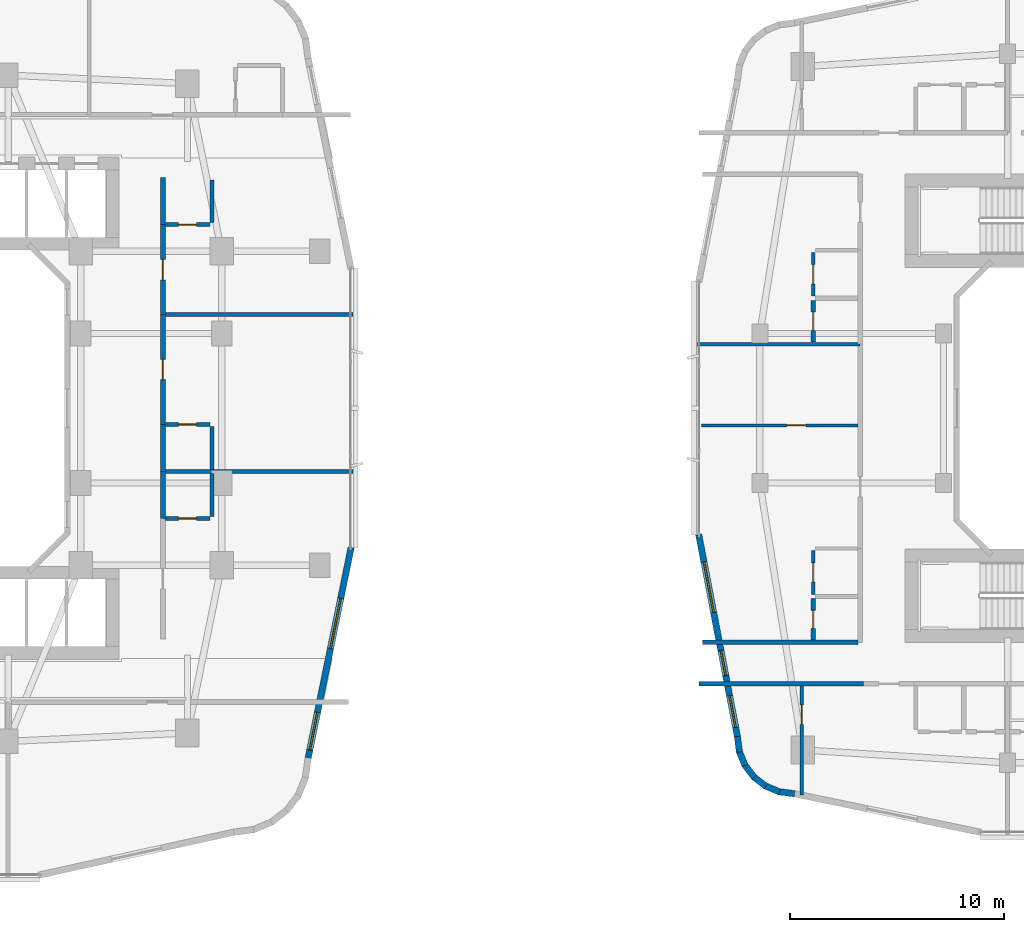
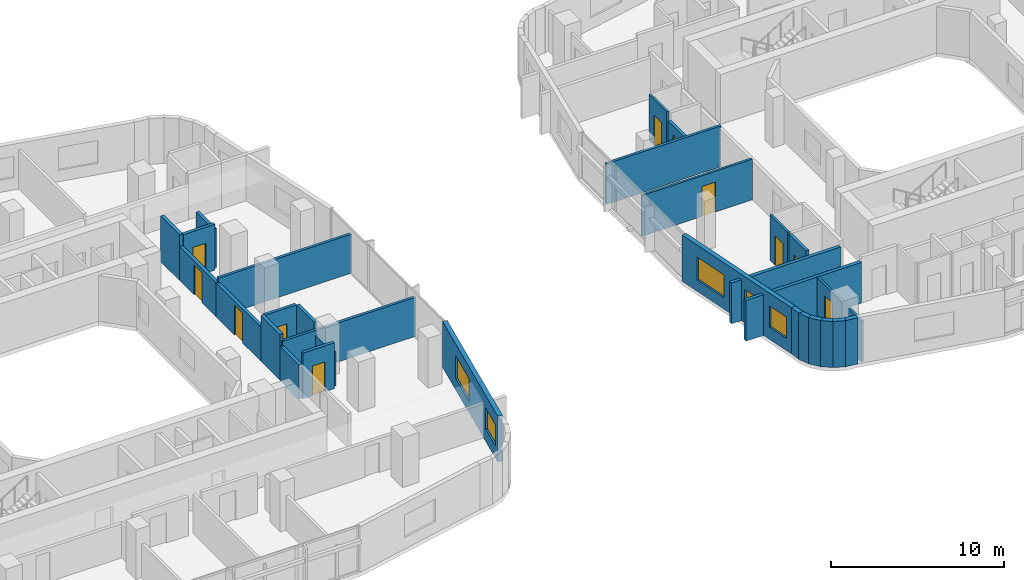
# One storey, part 15 of 26: 30 walls, 11 doors, 5 windows, 16 openings.
"""IFC4 building model written with IfcOpenShell, lengths in metres."""

from ifc_helpers import new_model, si_unit, derived_unit, direction, frame, frame_2d, origin, place, context, subcontext, project, spatial, rectangle, extrude, material, layer, layer_set, type_object, element, fill, save


model = new_model("IFC4")

# Units and contexts
model_context = context("Model", 3, precision=1e-05, world=origin(), true_north=direction((0.0, 1.0)))
body_context = subcontext(model_context, "Body", "Model", "MODEL_VIEW")
ifc_project = project(units=[si_unit("LENGTHUNIT", "METRE"), si_unit("AREAUNIT", "SQUARE_METRE"), si_unit("VOLUMEUNIT", "CUBIC_METRE"), si_unit("PLANEANGLEUNIT", "RADIAN"), si_unit("MASSUNIT", "GRAM", prefix="KILO"), derived_unit("THERMALTRANSMITTANCEUNIT", [(si_unit("POWERUNIT", "WATT"), 1), (si_unit("LENGTHUNIT", "METRE"), -2), (si_unit("THERMODYNAMICTEMPERATUREUNIT", "KELVIN"), -1)])], contexts=[model_context])

# Site, building, storey
site_placement = place(None, origin())
site = spatial("IfcSite", under=ifc_project, at=site_placement, CompositionType="ELEMENT")
building_placement = place(site_placement, origin())
building = spatial("IfcBuilding", under=site, at=building_placement, Name="Kivonza Crest Hotel", CompositionType="ELEMENT")
storey_placement = place(building_placement, frame((0.0, 0.0, 52.0)))
storey = spatial("IfcBuildingStorey", under=building, at=storey_placement, Name="L13", CompositionType="ELEMENT", Elevation=52.0)

# Walls
ifc_material_1 = material(Name="High-density acoustic masonry inter-tenancy wall", Category="masonry")
ifc_layer_1 = layer(ifc_material_1, 0.179931640625)
ifc_layer_set_1 = layer_set([ifc_layer_1], Name="High-density acoustic masonry inter-tenancy wall")
wall_type_1 = type_object("IfcWallType", Name="WL-ACOU-180", PredefinedType="SOLIDWALL", material=ifc_layer_set_1)
for number, where, z_axis, x_axis, name in (
    (1, (33.050048828125, 22.0390625, 0.0), (0.0, 0.0, 1.0), (1.0, 0.0, 0.0), "L13 interior partition WA-L13-T1E-DIV1"),
    (2, (33.050048828125, 29.383056640625, 0.0), (0.0, 0.0, 1.0), (1.0, 0.0, 0.0), "L13 interior partition WA-L13-T1E-DIV2"),
):
    element("IfcWall", number, at=place(storey_placement, frame(where, z_axis=z_axis, x_axis=x_axis)), inside=storey, type_object=wall_type_1, Name=name, PredefinedType="SOLIDWALL", context=body_context, shape_type="SweptSolid", body=[
        extrude(rectangle(XDim=8.889892578125, YDim=0.179931640625, at=frame_2d((4.44482421875, 0.0))), origin(), (0.0, 0.0, 1.0), 2.7451171875),
    ])
wall_1_placement = place(storey_placement, frame((58.06005859375, 28.0, 0.0), z_axis=(0.0, 0.0, 1.0), x_axis=(1.0, 0.0, 0.0)))
element("IfcWall", 3, at=wall_1_placement, inside=storey, type_object=wall_type_1, Name="L13 interior partition WA-L13-T2W-DIV1", PredefinedType="SOLIDWALL", context=body_context, shape_type="SweptSolid", body=[
    extrude(rectangle(XDim=7.639892578125, YDim=0.179931640625, at=frame_2d((3.81982421875, 0.0))), origin(), (0.0, 0.0, 1.0), 2.864990234375),
])
ifc_material_2 = material(Name="Autoclaved aerated concrete blockwork", Category="masonry")
ifc_layer_2 = layer(ifc_material_2, 0.219970703125)
ifc_layer_set_2 = layer_set([ifc_layer_2], Name="Autoclaved aerated concrete blockwork")
wall_type_2 = type_object("IfcWallType", Name="WL-ACOU-220", PredefinedType="SOLIDWALL", material=ifc_layer_set_2)
wall_2_placement = place(storey_placement, frame((33.050048828125, 19.839111328125, 0.0), z_axis=(0.0, 0.0, 1.0), x_axis=(0.0, 1.0, 0.0)))
element("IfcWall", 4, at=wall_2_placement, inside=storey, type_object=wall_type_2, Name="L13 interior partition WA-L13-E06-BCORR", PredefinedType="SOLIDWALL", context=body_context, shape_type="SweptSolid", body=[
    extrude(rectangle(XDim=2.199951171875, YDim=0.219970703125, at=frame_2d((1.10009765625, 0.0))), origin(), (0.0, 0.0, 1.0), 2.39501953125),
])
wall_3_placement = place(storey_placement, frame((33.050048828125, 22.0390625, 0.0), z_axis=(0.0, 0.0, 1.0), x_axis=(0.0, 1.0, 0.0)))
element("IfcWall", 5, at=wall_3_placement, inside=storey, type_object=wall_type_2, Name="L13 interior partition WA-L13-E07-BCORR", PredefinedType="SOLIDWALL", context=body_context, shape_type="SweptSolid", body=[
    extrude(rectangle(XDim=2.199951171875, YDim=0.219970703125, at=frame_2d((1.10009765625, 0.0))), origin(), (0.0, 0.0, 1.0), 3.219970703125),
])

# Wall, opening, door
wall_4_placement = place(storey_placement, frame((33.050048828125, 24.239013671875, 0.0), z_axis=(0.0, 0.0, 1.0), x_axis=(0.0, 1.0, 0.0)))
wall_4 = element("IfcWall", 6, at=wall_4_placement, inside=storey, type_object=wall_type_2, Name="L13 interior partition WA-L13-E07-MCORR", PredefinedType="SOLIDWALL", context=body_context, shape_type="SweptSolid", body=[
    extrude(rectangle(XDim=5.14404296875, YDim=0.219970703125, at=frame_2d((2.572021484375, 0.0))), origin(), (0.0, 0.0, 1.0), 2.39501953125),
])
opening_1_placement = place(wall_4_placement, frame((2.096923828125, 0.0, 0.0)))
opening_1 = element("IfcOpeningElement", 7, at=opening_1_placement, cuts=wall_4, Name="Opening DU-60", PredefinedType="OPENING", context=body_context, shape_type="SweptSolid", body=[
    extrude(rectangle(XDim=0.949951171875, YDim=2.10009765625, at=frame_2d((0.47509765625, 1.050048828125))), frame((0.0, 0.1201171875, 0.0), z_axis=(0.0, -1.0, 0.0), x_axis=(1.0, 0.0, 0.0)), (0.0, 0.0, 1.0), 0.239990234375),
])
ifc_material_3 = material(Name="Hardwood timber oak", Category="wood")
door_type_1 = type_object("IfcDoorType", Name="DR-UNIT-950", OperationType="NOTDEFINED", PredefinedType="DOOR", material=ifc_material_3)
door_1_placement = place(opening_1_placement, frame((0.949951171875, 0.0, 0.0), z_axis=(0.0, 0.0, 1.0), x_axis=(-1.0, 0.0, 0.0)))
door_1 = element("IfcDoor", 8, at=door_1_placement, inside=storey, type_object=door_type_1, Name="L13 E07 guest unit entrance fire door", OperationType="SINGLE_SWING_LEFT", OverallHeight=2.10009765625, OverallWidth=0.949951171875, PredefinedType="DOOR", context=body_context, shape_type="SweptSolid", body=[
    extrude(rectangle(XDim=0.949951171875, YDim=2.10009765625, at=frame_2d((0.47509765625, 1.050048828125))), frame((0.0, 0.02490234375, 0.0), z_axis=(0.0, -1.0, 0.0), x_axis=(1.0, 0.0, 0.0)), (0.0, 0.0, 1.0), 0.050048828125),
])
fill(opening_1, door_1)

# Wall
wall_5_placement = place(storey_placement, frame((33.050048828125, 33.60009765625, 0.0), z_axis=(0.0, 0.0, 1.0), x_axis=(0.0, 1.0, 0.0)))
element("IfcWall", 9, at=wall_5_placement, inside=storey, type_object=wall_type_2, Name="L13 interior partition WA-L13-E08-BCORR", PredefinedType="SOLIDWALL", context=body_context, shape_type="SweptSolid", body=[
    extrude(rectangle(XDim=2.199951171875, YDim=0.219970703125, at=frame_2d((1.10009765625, 0.0))), origin(), (0.0, 0.0, 1.0), 3.219970703125),
])

# Wall, opening, door
wall_6_placement = place(storey_placement, frame((33.050048828125, 29.383056640625, 0.0), z_axis=(0.0, 0.0, 1.0), x_axis=(0.0, 1.0, 0.0)))
wall_6 = element("IfcWall", 10, at=wall_6_placement, inside=storey, type_object=wall_type_2, Name="L13 interior partition WA-L13-E08-MCORR", PredefinedType="SOLIDWALL", context=body_context, shape_type="SweptSolid", body=[
    extrude(rectangle(XDim=4.217041015625, YDim=0.219970703125, at=frame_2d((2.1083984375, 0.0))), origin(), (0.0, 0.0, 1.0), 2.39501953125),
])
opening_2_placement = place(wall_6_placement, frame((1.634033203125, 0.0, 0.0)))
opening_2 = element("IfcOpeningElement", 11, at=opening_2_placement, cuts=wall_6, Name="Opening DU-60", PredefinedType="OPENING", context=body_context, shape_type="SweptSolid", body=[
    extrude(rectangle(XDim=0.949951171875, YDim=2.10009765625, at=frame_2d((0.47509765625, 1.050048828125))), frame((0.0, 0.1201171875, 0.0), z_axis=(0.0, -1.0, 0.0), x_axis=(1.0, 0.0, 0.0)), (0.0, 0.0, 1.0), 0.239990234375),
])
door_2_placement = place(opening_2_placement, frame((0.949951171875, 0.0, 0.0), z_axis=(0.0, 0.0, 1.0), x_axis=(-1.0, 0.0, 0.0)))
door_2 = element("IfcDoor", 12, at=door_2_placement, inside=storey, type_object=door_type_1, Name="L13 E08 guest unit entrance fire door", OperationType="SINGLE_SWING_RIGHT", OverallHeight=2.10009765625, OverallWidth=0.949951171875, PredefinedType="DOOR", context=body_context, shape_type="SweptSolid", body=[
    extrude(rectangle(XDim=0.949951171875, YDim=2.10009765625, at=frame_2d((0.47509765625, 1.050048828125))), frame((0.0, 0.02490234375, 0.0), z_axis=(0.0, -1.0, 0.0), x_axis=(1.0, 0.0, 0.0)), (0.0, 0.0, 1.0), 0.050048828125),
])
fill(opening_2, door_2)

# Walls
wall_7_placement = place(storey_placement, frame((58.159912109375, 12.10009765625, 0.0), z_axis=(0.0, 0.0, 1.0), x_axis=(1.0, 0.0, 0.0)))
element("IfcWall", 13, at=wall_7_placement, inside=storey, type_object=wall_type_2, Name="L13 interior partition WA-L13-A03-LCORR", PredefinedType="SOLIDWALL", context=body_context, shape_type="SweptSolid", body=[
    extrude(rectangle(XDim=7.690185546875, YDim=0.219970703125, at=frame_2d((3.84521484375, 0.0))), origin(), (0.0, 0.0, 1.0), 2.864990234375),
])
wall_8_placement = place(storey_placement, frame((58.320068359375, 14.0400390625, 0.0), z_axis=(0.0, 0.0, 1.0), x_axis=(1.0, 0.0, 0.0)))
element("IfcWall", 14, at=wall_8_placement, inside=storey, type_object=wall_type_2, Name="L13 interior partition WA-L13-T2W-ENDS", PredefinedType="SOLIDWALL", context=body_context, shape_type="SweptSolid", body=[
    extrude(rectangle(XDim=7.280029296875, YDim=0.219970703125, at=frame_2d((3.64013671875, 0.0))), origin(), (0.0, 0.0, 1.0), 2.864990234375),
])

# Wall, openings, windows
ifc_material_4 = material(Name="Precast concrete C40/50", Category="concrete")
ifc_layer_3 = layer(ifc_material_4, 0.300048828125)
ifc_layer_set_3 = layer_set([ifc_layer_3], Name="Precast concrete C40/50")
wall_type_3 = type_object("IfcWallType", Name="WL-EXT-300", PredefinedType="STANDARD", material=ifc_layer_set_3)
wall_9_placement = place(storey_placement, frame((39.85107421875, 8.6220703125, 0.0), z_axis=(0.0, 0.0, 1.0), x_axis=(0.199990901713, 0.979797754249, 0.0)))
wall_9 = element("IfcWall", 15, at=wall_9_placement, inside=storey, type_object=wall_type_3, Name="L13 T1 exterior insulated wall 16", PredefinedType="STANDARD", context=body_context, shape_type="SweptSolid", body=[
    extrude(rectangle(XDim=10.065185546875, YDim=0.300048828125, at=frame_2d((5.03271484375, 0.0))), origin(), (0.0, 0.0, 1.0), 3.219970703125),
])
opening_3_placement = place(wall_9_placement, frame((0.3779296875, 0.0, 0.85009765625)))
opening_3 = element("IfcOpeningElement", 16, at=opening_3_placement, cuts=wall_9, Name="Opening WN-03", PredefinedType="OPENING", context=body_context, shape_type="SweptSolid", body=[
    extrude(rectangle(XDim=1.800048828125, YDim=1.5, at=frame_2d((0.89990234375, 0.75))), frame((0.0, 0.16015625, 0.0), z_axis=(0.0, -1.0, 0.0), x_axis=(1.0, 0.0, 0.0)), (0.0, 0.0, 1.0), 0.320068359375),
])
opening_4_placement = place(wall_9_placement, frame((5.236083984375, 0.0, 0.800048828125)))
opening_4 = element("IfcOpeningElement", 17, at=opening_4_placement, cuts=wall_9, Name="Opening WN-05", PredefinedType="OPENING", context=body_context, shape_type="SweptSolid", body=[
    extrude(rectangle(XDim=2.39990234375, YDim=1.60009765625, at=frame_2d((1.199951171875, 0.800048828125))), frame((0.0, 0.16015625, 0.0), z_axis=(0.0, -1.0, 0.0), x_axis=(1.0, 0.0, 0.0)), (0.0, 0.0, 1.0), 0.320068359375),
])
ifc_material_5 = material(Name="Thermally broken bronze aluminium and low-E double glazing", Category="aluminium")
window_type_1 = type_object("IfcWindowType", Name="WN-180x150", PartitioningType="DOUBLE_PANEL_VERTICAL", PredefinedType="WINDOW", material=ifc_material_5)
window_1_placement = place(opening_3_placement, origin())
window_1 = element("IfcWindow", 18, at=window_1_placement, inside=storey, type_object=window_type_1, Name="L13 T1 facade window 16 bay 1", OverallHeight=1.5, OverallWidth=1.800048828125, PartitioningType="SINGLE_PANEL", PredefinedType="WINDOW", context=body_context, shape_type="SweptSolid", body=[
    extrude(rectangle(XDim=1.800048828125, YDim=1.5, at=frame_2d((0.89990234375, 0.75))), frame((0.0, 0.030029296875, 0.0), z_axis=(0.0, -1.0, 0.0), x_axis=(1.0, 0.0, 0.0)), (0.0, 0.0, 1.0), 0.06005859375),
])
fill(opening_3, window_1)
window_type_2 = type_object("IfcWindowType", Name="WN-240x160", PartitioningType="TRIPLE_PANEL_VERTICAL", PredefinedType="WINDOW", material=ifc_material_5)
window_2_placement = place(opening_4_placement, origin())
window_2 = element("IfcWindow", 19, at=window_2_placement, inside=storey, type_object=window_type_2, Name="L13 T1 facade window 16 bay 2", OverallHeight=1.60009765625, OverallWidth=2.39990234375, PartitioningType="SINGLE_PANEL", PredefinedType="WINDOW", context=body_context, shape_type="SweptSolid", body=[
    extrude(rectangle(XDim=2.39990234375, YDim=1.60009765625, at=frame_2d((1.199951171875, 0.800048828125))), frame((0.0, 0.030029296875, 0.0), z_axis=(0.0, -1.0, 0.0), x_axis=(1.0, 0.0, 0.0)), (0.0, 0.0, 1.0), 0.06005859375),
])
fill(opening_4, window_2)

# Walls
wall_10_placement = place(storey_placement, frame((59.947998046875, 9.626953125, 0.0), z_axis=(0.0, 0.0, 1.0), x_axis=(0.130255288807, -0.991480488834, 0.0)))
element("IfcWall", 20, at=wall_10_placement, inside=storey, type_object=wall_type_3, Name="L13 T2 exterior insulated wall 1", PredefinedType="STANDARD", context=body_context, shape_type="SweptSolid", body=[
    extrude(rectangle(XDim=0.72900390625, YDim=0.300048828125, at=frame_2d((0.364501953125, 0.0))), origin(), (0.0, 0.0, 1.0), 3.25),
])
for number, where, z_axis, x_axis, name in (
    (21, (60.02392578125, 8.955078125, 0.0), (0.0, 0.0, 1.0), (0.383546213491, -0.923521684703, 0.0), "L13 T2 exterior insulated wall 2"),
    (22, (60.279052734375, 8.31103515625, 0.0), (0.0, 0.0, 1.0), (0.608397189915, -0.79363269798, 0.0), "L13 T2 exterior insulated wall 3"),
    (23, (60.69091796875, 7.75390625, 0.0), (0.0, 0.0, 1.0), (0.79363269798, -0.608397189915, 0.0), "L13 T2 exterior insulated wall 4"),
    (24, (61.23388671875, 7.323974609375, 0.0), (0.0, 0.0, 1.0), (0.923685632463, -0.383151213466, 0.0), "L13 T2 exterior insulated wall 5"),
):
    element("IfcWall", number, at=place(storey_placement, frame(where, z_axis=z_axis, x_axis=x_axis)), inside=storey, type_object=wall_type_3, Name=name, PredefinedType="STANDARD", context=body_context, shape_type="SweptSolid", body=[
        extrude(rectangle(XDim=0.74609375, YDim=0.300048828125, at=frame_2d((0.373046875, 0.0))), origin(), (0.0, 0.0, 1.0), 3.25),
    ])
wall_11_placement = place(storey_placement, frame((61.868896484375, 7.047119140625, 0.0), z_axis=(0.0, 0.0, 1.0), x_axis=(0.991559404866, -0.129653178221, 0.0)))
element("IfcWall", 25, at=wall_11_placement, inside=storey, type_object=wall_type_3, Name="L13 T2 exterior insulated wall 6", PredefinedType="STANDARD", context=body_context, shape_type="SweptSolid", body=[
    extrude(rectangle(XDim=0.764404296875, YDim=0.300048828125, at=frame_2d((0.38232421875, 0.0))), origin(), (0.0, 0.0, 1.0), 3.25),
])

# Wall, openings, windows
wall_12_placement = place(storey_placement, frame((58.136962890625, 19.08203125, 0.0), z_axis=(0.0, 0.0, 1.0), x_axis=(0.188087874316, -0.982152203854, 0.0)))
wall_12 = element("IfcWall", 26, at=wall_12_placement, inside=storey, type_object=wall_type_3, Name="L13 T2 exterior insulated wall 36", PredefinedType="STANDARD", context=body_context, shape_type="SweptSolid", body=[
    extrude(rectangle(XDim=9.6337890625, YDim=0.300048828125, at=frame_2d((4.81689453125, 0.0))), origin(), (0.0, 0.0, 1.0), 3.25),
])
opening_5_placement = place(wall_12_placement, frame((1.305908203125, 0.0, 0.800048828125)))
opening_5 = element("IfcOpeningElement", 27, at=opening_5_placement, cuts=wall_12, Name="Opening WN-05", PredefinedType="OPENING", context=body_context, shape_type="SweptSolid", body=[
    extrude(rectangle(XDim=2.39990234375, YDim=1.60009765625, at=frame_2d((1.199951171875, 0.800048828125))), frame((0.0, 0.16015625, 0.0), z_axis=(0.0, -1.0, 0.0), x_axis=(1.0, 0.0, 0.0)), (0.0, 0.0, 1.0), 0.320068359375),
])
opening_6_placement = place(wall_12_placement, frame((5.52099609375, 0.0, 0.85009765625)))
opening_6 = element("IfcOpeningElement", 28, at=opening_6_placement, cuts=wall_12, Name="Opening WN-01", PredefinedType="OPENING", context=body_context, shape_type="SweptSolid", body=[
    extrude(rectangle(XDim=1.199951171875, YDim=1.5, at=frame_2d((0.60009765625, 0.75))), frame((0.0, 0.16015625, 0.0), z_axis=(0.0, -1.0, 0.0), x_axis=(1.0, 0.0, 0.0)), (0.0, 0.0, 1.0), 0.320068359375),
])
opening_7_placement = place(wall_12_placement, frame((7.681884765625, 0.0, 0.85009765625)))
opening_7 = element("IfcOpeningElement", 29, at=opening_7_placement, cuts=wall_12, Name="Opening WN-02", PredefinedType="OPENING", context=body_context, shape_type="SweptSolid", body=[
    extrude(rectangle(XDim=1.5, YDim=1.5, at=frame_2d((0.75, 0.75))), frame((0.0, 0.16015625, 0.0), z_axis=(0.0, -1.0, 0.0), x_axis=(1.0, 0.0, 0.0)), (0.0, 0.0, 1.0), 0.320068359375),
])
window_type_3 = type_object("IfcWindowType", Name="WN-120x150", PartitioningType="SINGLE_PANEL", PredefinedType="WINDOW", material=ifc_material_5)
window_3_placement = place(opening_6_placement, origin())
window_3 = element("IfcWindow", 30, at=window_3_placement, inside=storey, type_object=window_type_3, Name="L13 T2 facade window 36 bay 2", OverallHeight=1.5, OverallWidth=1.199951171875, PartitioningType="SINGLE_PANEL", PredefinedType="WINDOW", context=body_context, shape_type="SweptSolid", body=[
    extrude(rectangle(XDim=1.199951171875, YDim=1.5, at=frame_2d((0.60009765625, 0.75))), frame((0.0, 0.030029296875, 0.0), z_axis=(0.0, -1.0, 0.0), x_axis=(1.0, 0.0, 0.0)), (0.0, 0.0, 1.0), 0.06005859375),
])
fill(opening_6, window_3)
window_type_4 = type_object("IfcWindowType", Name="WN-150x150", PartitioningType="DOUBLE_PANEL_VERTICAL", PredefinedType="WINDOW", material=ifc_material_5)
window_4_placement = place(opening_7_placement, origin())
window_4 = element("IfcWindow", 31, at=window_4_placement, inside=storey, type_object=window_type_4, Name="L13 T2 facade window 36 bay 3", OverallHeight=1.5, OverallWidth=1.5, PartitioningType="SINGLE_PANEL", PredefinedType="WINDOW", context=body_context, shape_type="SweptSolid", body=[
    extrude(rectangle(XDim=1.5, YDim=1.5, at=frame_2d((0.75, 0.75))), frame((0.0, 0.030029296875, 0.0), z_axis=(0.0, -1.0, 0.0), x_axis=(1.0, 0.0, 0.0)), (0.0, 0.0, 1.0), 0.06005859375),
])
fill(opening_7, window_4)
window_5_placement = place(opening_5_placement, origin())
window_5 = element("IfcWindow", 32, at=window_5_placement, inside=storey, type_object=window_type_2, Name="L13 T2 facade window 36 bay 1", OverallHeight=1.60009765625, OverallWidth=2.39990234375, PartitioningType="SINGLE_PANEL", PredefinedType="WINDOW", context=body_context, shape_type="SweptSolid", body=[
    extrude(rectangle(XDim=2.39990234375, YDim=1.60009765625, at=frame_2d((1.199951171875, 0.800048828125))), frame((0.0, 0.030029296875, 0.0), z_axis=(0.0, -1.0, 0.0), x_axis=(1.0, 0.0, 0.0)), (0.0, 0.0, 1.0), 0.06005859375),
])
fill(opening_5, window_5)

# Wall, opening, door
ifc_material_6 = material(Name="Twin-stud acoustic gypsum board partition", Category="gypsum")
ifc_layer_4 = layer(ifc_material_6, 0.14990234375)
ifc_layer_set_4 = layer_set([ifc_layer_4], Name="Twin-stud acoustic gypsum board partition")
wall_type_4 = type_object("IfcWallType", Name="WL-PART-150", PredefinedType="PARTITIONING", material=ifc_layer_set_4)
wall_13_placement = place(storey_placement, frame((62.9599609375, 6.886962890625, 0.0), z_axis=(0.0, 0.0, 1.0), x_axis=(0.0, 1.0, 0.0)))
wall_13 = element("IfcWall", 33, at=wall_13_placement, inside=storey, type_object=wall_type_4, Name="L13 interior partition WP-L13-A03-BDW1", PredefinedType="PARTITIONING", context=body_context, shape_type="SweptSolid", body=[
    extrude(rectangle(XDim=5.113037109375, YDim=0.14990234375, at=frame_2d((2.556640625, 0.0))), origin(), (0.0, 0.0, 1.0), 2.864990234375),
])
opening_8_placement = place(wall_13_placement, frame((3.31005859375, 0.0, 0.0)))
opening_8 = element("IfcOpeningElement", 34, at=opening_8_placement, cuts=wall_13, Name="Opening DI-90", PredefinedType="OPENING", context=body_context, shape_type="SweptSolid", body=[
    extrude(rectangle(XDim=0.89990234375, YDim=2.10009765625, at=frame_2d((0.449951171875, 1.050048828125))), frame((0.0, 0.0849609375, 0.0), z_axis=(0.0, -1.0, 0.0), x_axis=(1.0, 0.0, 0.0)), (0.0, 0.0, 1.0), 0.169921875),
])
door_type_2 = type_object("IfcDoorType", Name="DR-INT-900", OperationType="NOTDEFINED", PredefinedType="DOOR", material=ifc_material_3)
door_3_placement = place(opening_8_placement, origin())
door_3 = element("IfcDoor", 35, at=door_3_placement, inside=storey, type_object=door_type_2, Name="L13 A03 bedroom 1 door", OperationType="SINGLE_SWING_RIGHT", OverallHeight=2.10009765625, OverallWidth=0.89990234375, PredefinedType="DOOR", context=body_context, shape_type="SweptSolid", body=[
    extrude(rectangle(XDim=0.89990234375, YDim=2.10009765625, at=frame_2d((0.449951171875, 1.050048828125))), frame((0.0, 0.02490234375, 0.0), z_axis=(0.0, -1.0, 0.0), x_axis=(1.0, 0.0, 0.0)), (0.0, 0.0, 1.0), 0.050048828125),
])
fill(opening_8, door_3)

wall_14_placement = place(storey_placement, frame((58.260009765625, 24.199951171875, 0.0), z_axis=(0.0, 0.0, 1.0), x_axis=(1.0, 0.0, 0.0)))
wall_14 = element("IfcWall", 36, at=wall_14_placement, inside=storey, type_object=wall_type_4, Name="L13 interior partition WP-L13-A06-BD1", PredefinedType="PARTITIONING", context=body_context, shape_type="SweptSolid", body=[
    extrude(rectangle(XDim=7.340087890625, YDim=0.14990234375, at=frame_2d((3.669921875, 0.0))), origin(), (0.0, 0.0, 1.0), 2.864990234375),
])
opening_9_placement = place(wall_14_placement, frame((3.989990234375, 0.0, 0.0)))
opening_9 = element("IfcOpeningElement", 37, at=opening_9_placement, cuts=wall_14, Name="Opening DI-90", PredefinedType="OPENING", context=body_context, shape_type="SweptSolid", body=[
    extrude(rectangle(XDim=0.89990234375, YDim=2.10009765625, at=frame_2d((0.449951171875, 1.050048828125))), frame((0.0, 0.0849609375, 0.0), z_axis=(0.0, -1.0, 0.0), x_axis=(1.0, 0.0, 0.0)), (0.0, 0.0, 1.0), 0.169921875),
])
door_4_placement = place(opening_9_placement, origin())
door_4 = element("IfcDoor", 38, at=door_4_placement, inside=storey, type_object=door_type_2, Name="L13 A06 bedroom door", OperationType="SINGLE_SWING_LEFT", OverallHeight=2.10009765625, OverallWidth=0.89990234375, PredefinedType="DOOR", context=body_context, shape_type="SweptSolid", body=[
    extrude(rectangle(XDim=0.89990234375, YDim=2.10009765625, at=frame_2d((0.449951171875, 1.050048828125))), frame((0.0, 0.02490234375, 0.0), z_axis=(0.0, -1.0, 0.0), x_axis=(1.0, 0.0, 0.0)), (0.0, 0.0, 1.0), 0.050048828125),
])
fill(opening_9, door_4)

wall_15_placement = place(storey_placement, frame((63.5, 16.2900390625, 0.0), z_axis=(0.0, 0.0, 1.0), x_axis=(0.0, 1.0, 0.0)))
wall_15 = element("IfcWall", 39, at=wall_15_placement, inside=storey, type_object=wall_type_4, Name="L13 interior partition WP-L13-A06-KSVC", PredefinedType="PARTITIONING", context=body_context, shape_type="SweptSolid", body=[
    extrude(rectangle(XDim=2.050048828125, YDim=0.14990234375, at=frame_2d((1.02490234375, 0.0))), origin(), (0.0, 0.0, 1.0), 3.219970703125),
])
opening_10_placement = place(wall_15_placement, frame((0.574951171875, 0.0, 0.0)))
opening_10 = element("IfcOpeningElement", 40, at=opening_10_placement, cuts=wall_15, Name="Opening DI-90", PredefinedType="OPENING", context=body_context, shape_type="SweptSolid", body=[
    extrude(rectangle(XDim=0.89990234375, YDim=2.10009765625, at=frame_2d((0.449951171875, 1.050048828125))), frame((0.0, 0.0849609375, 0.0), z_axis=(0.0, -1.0, 0.0), x_axis=(1.0, 0.0, 0.0)), (0.0, 0.0, 1.0), 0.169921875),
])
door_5_placement = place(opening_10_placement, origin())
door_5 = element("IfcDoor", 41, at=door_5_placement, inside=storey, type_object=door_type_2, Name="L13 A06 apartment kitchen door", OperationType="SINGLE_SWING_RIGHT", OverallHeight=2.10009765625, OverallWidth=0.89990234375, PredefinedType="DOOR", context=body_context, shape_type="SweptSolid", body=[
    extrude(rectangle(XDim=0.89990234375, YDim=2.10009765625, at=frame_2d((0.449951171875, 1.050048828125))), frame((0.0, 0.02490234375, 0.0), z_axis=(0.0, -1.0, 0.0), x_axis=(1.0, 0.0, 0.0)), (0.0, 0.0, 1.0), 0.050048828125),
])
fill(opening_10, door_5)

wall_16_placement = place(storey_placement, frame((63.5, 30.25, 0.0), z_axis=(0.0, 0.0, 1.0), x_axis=(0.0, 1.0, 0.0)))
wall_16 = element("IfcWall", 42, at=wall_16_placement, inside=storey, type_object=wall_type_4, Name="L13 interior partition WP-L13-A07-KSVC", PredefinedType="PARTITIONING", context=body_context, shape_type="SweptSolid", body=[
    extrude(rectangle(XDim=2.050048828125, YDim=0.14990234375, at=frame_2d((1.02490234375, 0.0))), origin(), (0.0, 0.0, 1.0), 3.219970703125),
])
opening_11_placement = place(wall_16_placement, frame((0.574951171875, 0.0, 0.0)))
opening_11 = element("IfcOpeningElement", 43, at=opening_11_placement, cuts=wall_16, Name="Opening DI-90", PredefinedType="OPENING", context=body_context, shape_type="SweptSolid", body=[
    extrude(rectangle(XDim=0.89990234375, YDim=2.10009765625, at=frame_2d((0.449951171875, 1.050048828125))), frame((0.0, 0.0849609375, 0.0), z_axis=(0.0, -1.0, 0.0), x_axis=(1.0, 0.0, 0.0)), (0.0, 0.0, 1.0), 0.169921875),
])
door_6_placement = place(opening_11_placement, origin())
door_6 = element("IfcDoor", 44, at=door_6_placement, inside=storey, type_object=door_type_2, Name="L13 A07 apartment kitchen door", OperationType="SINGLE_SWING_LEFT", OverallHeight=2.10009765625, OverallWidth=0.89990234375, PredefinedType="DOOR", context=body_context, shape_type="SweptSolid", body=[
    extrude(rectangle(XDim=0.89990234375, YDim=2.10009765625, at=frame_2d((0.449951171875, 1.050048828125))), frame((0.0, 0.02490234375, 0.0), z_axis=(0.0, -1.0, 0.0), x_axis=(1.0, 0.0, 0.0)), (0.0, 0.0, 1.0), 0.050048828125),
])
fill(opening_11, door_6)

ifc_material_7 = material(Name="Moisture-resistant plumbing chase partition wall", Category="gypsum")
ifc_layer_5 = layer(ifc_material_7, 0.199951171875)
ifc_layer_set_5 = layer_set([ifc_layer_5], Name="Moisture-resistant plumbing chase partition wall")
wall_type_5 = type_object("IfcWallType", Name="WL-PLUMB-200", PredefinedType="PLUMBINGWALL", material=ifc_layer_set_5)
wall_17_placement = place(storey_placement, frame((33.14990234375, 19.839111328125, 0.0), z_axis=(0.0, 0.0, 1.0), x_axis=(1.0, 0.0, 0.0)))
wall_17 = element("IfcWall", 45, at=wall_17_placement, inside=storey, type_object=wall_type_5, Name="L13 interior partition WW-L13-E06-BH", PredefinedType="PLUMBINGWALL", context=body_context, shape_type="SweptSolid", body=[
    extrude(rectangle(XDim=2.10009765625, YDim=0.199951171875, at=frame_2d((1.050048828125, 0.0))), origin(), (0.0, 0.0, 1.0), 3.219970703125),
])
opening_12_placement = place(wall_17_placement, frame((0.625, 0.0, 0.0)))
opening_12 = element("IfcOpeningElement", 46, at=opening_12_placement, cuts=wall_17, Name="Opening DI-85", PredefinedType="OPENING", context=body_context, shape_type="SweptSolid", body=[
    extrude(rectangle(XDim=0.85009765625, YDim=2.10009765625, at=frame_2d((0.425048828125, 1.050048828125))), frame((0.0, 0.10986328125, 0.0), z_axis=(0.0, -1.0, 0.0), x_axis=(1.0, 0.0, 0.0)), (0.0, 0.0, 1.0), 0.219970703125),
])
door_type_3 = type_object("IfcDoorType", Name="DR-INT-850", OperationType="NOTDEFINED", PredefinedType="DOOR", material=ifc_material_3)
door_7_placement = place(opening_12_placement, frame((0.85009765625, 0.0, 0.0), z_axis=(0.0, 0.0, 1.0), x_axis=(-1.0, 0.0, 0.0)))
door_7 = element("IfcDoor", 47, at=door_7_placement, inside=storey, type_object=door_type_3, Name="L13 E06 en-suite bathroom door", OperationType="SINGLE_SWING_LEFT", OverallHeight=2.10009765625, OverallWidth=0.85009765625, PredefinedType="DOOR", context=body_context, shape_type="SweptSolid", body=[
    extrude(rectangle(XDim=0.85009765625, YDim=2.10009765625, at=frame_2d((0.425048828125, 1.050048828125))), frame((0.0, 0.02490234375, 0.0), z_axis=(0.0, -1.0, 0.0), x_axis=(1.0, 0.0, 0.0)), (0.0, 0.0, 1.0), 0.050048828125),
])
fill(opening_12, door_7)

# Wall
wall_18_placement = place(storey_placement, frame((35.35009765625, 19.93896484375, 0.0), z_axis=(0.0, 0.0, 1.0), x_axis=(0.0, 1.0, 0.0)))
element("IfcWall", 48, at=wall_18_placement, inside=storey, type_object=wall_type_5, Name="L13 interior partition WW-L13-E06-BV", PredefinedType="PLUMBINGWALL", context=body_context, shape_type="SweptSolid", body=[
    extrude(rectangle(XDim=2.0, YDim=0.199951171875, at=frame_2d((1.0, 0.0))), origin(), (0.0, 0.0, 1.0), 2.39501953125),
])

# Wall, opening, door
wall_19_placement = place(storey_placement, frame((33.14990234375, 24.239013671875, 0.0), z_axis=(0.0, 0.0, 1.0), x_axis=(1.0, 0.0, 0.0)))
wall_19 = element("IfcWall", 49, at=wall_19_placement, inside=storey, type_object=wall_type_5, Name="L13 interior partition WW-L13-E07-BH", PredefinedType="PLUMBINGWALL", context=body_context, shape_type="SweptSolid", body=[
    extrude(rectangle(XDim=2.10009765625, YDim=0.199951171875, at=frame_2d((1.050048828125, 0.0))), origin(), (0.0, 0.0, 1.0), 3.219970703125),
])
opening_13_placement = place(wall_19_placement, frame((0.625, 0.0, 0.0)))
opening_13 = element("IfcOpeningElement", 50, at=opening_13_placement, cuts=wall_19, Name="Opening DI-85", PredefinedType="OPENING", context=body_context, shape_type="SweptSolid", body=[
    extrude(rectangle(XDim=0.85009765625, YDim=2.10009765625, at=frame_2d((0.425048828125, 1.050048828125))), frame((0.0, 0.10986328125, 0.0), z_axis=(0.0, -1.0, 0.0), x_axis=(1.0, 0.0, 0.0)), (0.0, 0.0, 1.0), 0.219970703125),
])
door_8_placement = place(opening_13_placement, origin())
door_8 = element("IfcDoor", 51, at=door_8_placement, inside=storey, type_object=door_type_3, Name="L13 E07 en-suite bathroom door", OperationType="SINGLE_SWING_RIGHT", OverallHeight=2.10009765625, OverallWidth=0.85009765625, PredefinedType="DOOR", context=body_context, shape_type="SweptSolid", body=[
    extrude(rectangle(XDim=0.85009765625, YDim=2.10009765625, at=frame_2d((0.425048828125, 1.050048828125))), frame((0.0, 0.02490234375, 0.0), z_axis=(0.0, -1.0, 0.0), x_axis=(1.0, 0.0, 0.0)), (0.0, 0.0, 1.0), 0.050048828125),
])
fill(opening_13, door_8)

# Wall
wall_20_placement = place(storey_placement, frame((35.35009765625, 22.138916015625, 0.0), z_axis=(0.0, 0.0, 1.0), x_axis=(0.0, 1.0, 0.0)))
element("IfcWall", 52, at=wall_20_placement, inside=storey, type_object=wall_type_5, Name="L13 interior partition WW-L13-E07-BV", PredefinedType="PLUMBINGWALL", context=body_context, shape_type="SweptSolid", body=[
    extrude(rectangle(XDim=2.0, YDim=0.199951171875, at=frame_2d((1.0, 0.0))), origin(), (0.0, 0.0, 1.0), 3.219970703125),
])

# Wall, opening, door
wall_21_placement = place(storey_placement, frame((33.14990234375, 33.60009765625, 0.0), z_axis=(0.0, 0.0, 1.0), x_axis=(1.0, 0.0, 0.0)))
wall_21 = element("IfcWall", 53, at=wall_21_placement, inside=storey, type_object=wall_type_5, Name="L13 interior partition WW-L13-E08-BH", PredefinedType="PLUMBINGWALL", context=body_context, shape_type="SweptSolid", body=[
    extrude(rectangle(XDim=2.10009765625, YDim=0.199951171875, at=frame_2d((1.050048828125, 0.0))), origin(), (0.0, 0.0, 1.0), 3.219970703125),
])
opening_14_placement = place(wall_21_placement, frame((0.625, 0.0, 0.0)))
opening_14 = element("IfcOpeningElement", 54, at=opening_14_placement, cuts=wall_21, Name="Opening DI-85", PredefinedType="OPENING", context=body_context, shape_type="SweptSolid", body=[
    extrude(rectangle(XDim=0.85009765625, YDim=2.10009765625, at=frame_2d((0.425048828125, 1.050048828125))), frame((0.0, 0.10986328125, 0.0), z_axis=(0.0, -1.0, 0.0), x_axis=(1.0, 0.0, 0.0)), (0.0, 0.0, 1.0), 0.219970703125),
])
door_9_placement = place(opening_14_placement, frame((0.85009765625, 0.0, 0.0), z_axis=(0.0, 0.0, 1.0), x_axis=(-1.0, 0.0, 0.0)))
door_9 = element("IfcDoor", 55, at=door_9_placement, inside=storey, type_object=door_type_3, Name="L13 E08 en-suite bathroom door", OperationType="SINGLE_SWING_LEFT", OverallHeight=2.10009765625, OverallWidth=0.85009765625, PredefinedType="DOOR", context=body_context, shape_type="SweptSolid", body=[
    extrude(rectangle(XDim=0.85009765625, YDim=2.10009765625, at=frame_2d((0.425048828125, 1.050048828125))), frame((0.0, 0.02490234375, 0.0), z_axis=(0.0, -1.0, 0.0), x_axis=(1.0, 0.0, 0.0)), (0.0, 0.0, 1.0), 0.050048828125),
])
fill(opening_14, door_9)

# Wall
wall_22_placement = place(storey_placement, frame((35.35009765625, 33.699951171875, 0.0), z_axis=(0.0, 0.0, 1.0), x_axis=(0.0, 1.0, 0.0)))
element("IfcWall", 56, at=wall_22_placement, inside=storey, type_object=wall_type_5, Name="L13 interior partition WW-L13-E08-BV", PredefinedType="PLUMBINGWALL", context=body_context, shape_type="SweptSolid", body=[
    extrude(rectangle(XDim=2.0, YDim=0.199951171875, at=frame_2d((1.0, 0.0))), origin(), (0.0, 0.0, 1.0), 2.7451171875),
])

# Wall, opening, door
wall_23_placement = place(storey_placement, frame((63.5, 14.139892578125, 0.0), z_axis=(0.0, 0.0, 1.0), x_axis=(0.0, 1.0, 0.0)))
wall_23 = element("IfcWall", 57, at=wall_23_placement, inside=storey, type_object=wall_type_5, Name="L13 interior partition WW-L13-A06-BSVC", PredefinedType="PLUMBINGWALL", context=body_context, shape_type="SweptSolid", body=[
    extrude(rectangle(XDim=1.9501953125, YDim=0.199951171875, at=frame_2d((0.97509765625, 0.0))), origin(), (0.0, 0.0, 1.0), 3.219970703125),
])
opening_15_placement = place(wall_23_placement, frame((0.550048828125, 0.0, 0.0)))
opening_15 = element("IfcOpeningElement", 58, at=opening_15_placement, cuts=wall_23, Name="Opening DI-85", PredefinedType="OPENING", context=body_context, shape_type="SweptSolid", body=[
    extrude(rectangle(XDim=0.85009765625, YDim=2.10009765625, at=frame_2d((0.425048828125, 1.050048828125))), frame((0.0, 0.10986328125, 0.0), z_axis=(0.0, -1.0, 0.0), x_axis=(1.0, 0.0, 0.0)), (0.0, 0.0, 1.0), 0.219970703125),
])
door_10_placement = place(opening_15_placement, origin())
door_10 = element("IfcDoor", 59, at=door_10_placement, inside=storey, type_object=door_type_3, Name="L13 A06 apartment bathroom door", OperationType="SINGLE_SWING_LEFT", OverallHeight=2.10009765625, OverallWidth=0.85009765625, PredefinedType="DOOR", context=body_context, shape_type="SweptSolid", body=[
    extrude(rectangle(XDim=0.85009765625, YDim=2.10009765625, at=frame_2d((0.425048828125, 1.050048828125))), frame((0.0, 0.02490234375, 0.0), z_axis=(0.0, -1.0, 0.0), x_axis=(1.0, 0.0, 0.0)), (0.0, 0.0, 1.0), 0.050048828125),
])
fill(opening_15, door_10)

wall_24_placement = place(storey_placement, frame((63.5, 28.10009765625, 0.0), z_axis=(0.0, 0.0, 1.0), x_axis=(0.0, 1.0, 0.0)))
wall_24 = element("IfcWall", 60, at=wall_24_placement, inside=storey, type_object=wall_type_5, Name="L13 interior partition WW-L13-A07-BSVC", PredefinedType="PLUMBINGWALL", context=body_context, shape_type="SweptSolid", body=[
    extrude(rectangle(XDim=1.949951171875, YDim=0.199951171875, at=frame_2d((0.97509765625, 0.0))), origin(), (0.0, 0.0, 1.0), 2.72509765625),
])
opening_16_placement = place(wall_24_placement, frame((0.550048828125, 0.0, 0.0)))
opening_16 = element("IfcOpeningElement", 61, at=opening_16_placement, cuts=wall_24, Name="Opening DI-85", PredefinedType="OPENING", context=body_context, shape_type="SweptSolid", body=[
    extrude(rectangle(XDim=0.85009765625, YDim=2.10009765625, at=frame_2d((0.425048828125, 1.050048828125))), frame((0.0, 0.10986328125, 0.0), z_axis=(0.0, -1.0, 0.0), x_axis=(1.0, 0.0, 0.0)), (0.0, 0.0, 1.0), 0.219970703125),
])
door_11_placement = place(opening_16_placement, origin())
door_11 = element("IfcDoor", 62, at=door_11_placement, inside=storey, type_object=door_type_3, Name="L13 A07 apartment bathroom door", OperationType="SINGLE_SWING_RIGHT", OverallHeight=2.10009765625, OverallWidth=0.85009765625, PredefinedType="DOOR", context=body_context, shape_type="SweptSolid", body=[
    extrude(rectangle(XDim=0.85009765625, YDim=2.10009765625, at=frame_2d((0.425048828125, 1.050048828125))), frame((0.0, 0.02490234375, 0.0), z_axis=(0.0, -1.0, 0.0), x_axis=(1.0, 0.0, 0.0)), (0.0, 0.0, 1.0), 0.050048828125),
])
fill(opening_16, door_11)

save(model, "model.ifc")
